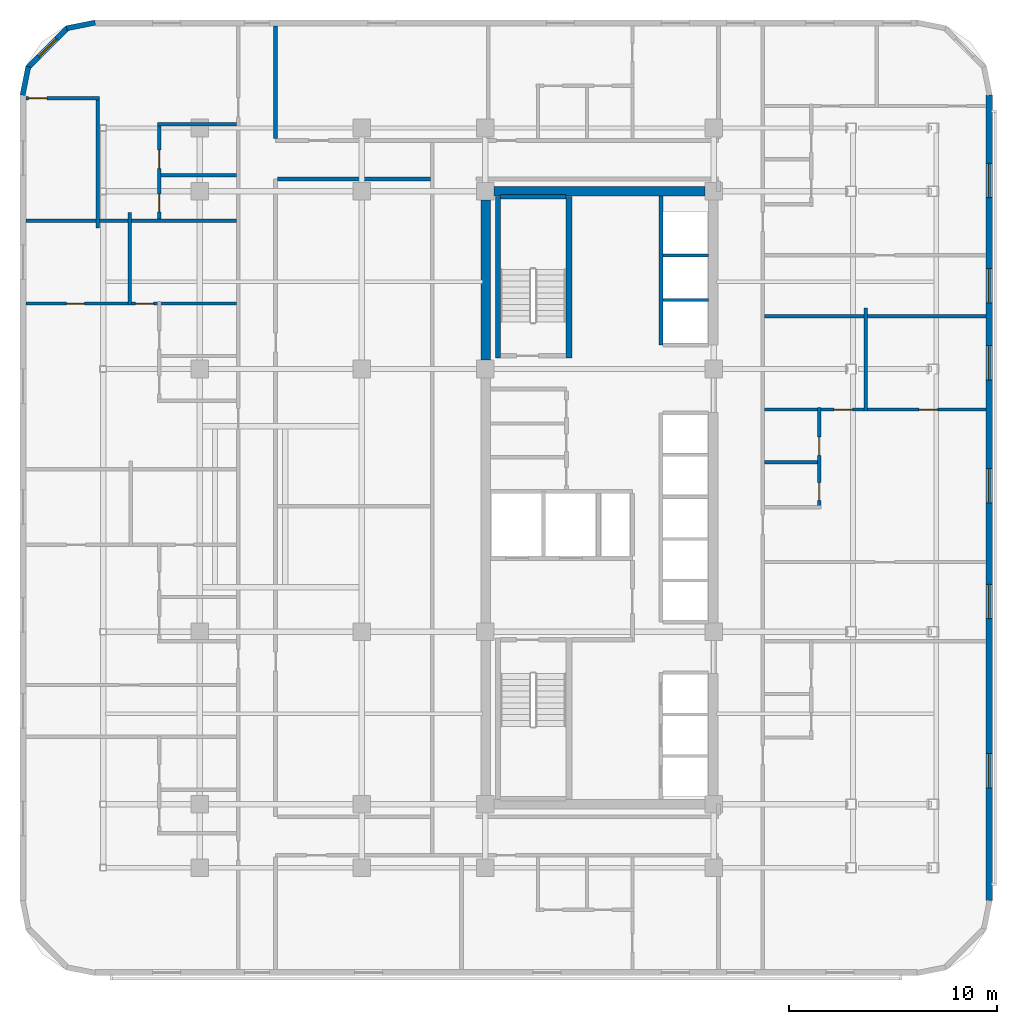
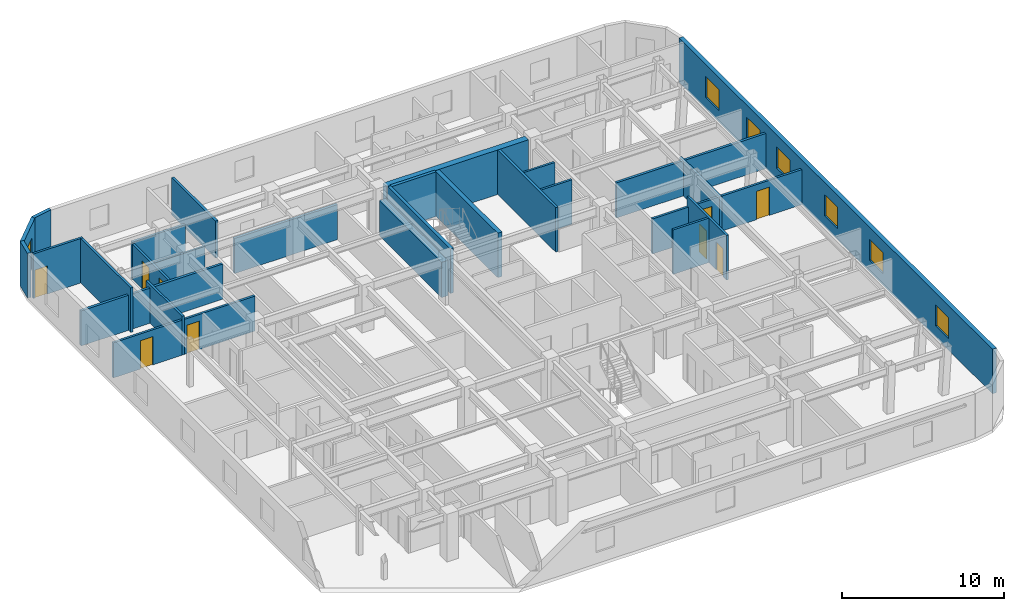
# One storey, part 9 of 14: 27 walls, 9 doors, 7 windows, 16 openings.
"""IFC4 building model written with IfcOpenShell, lengths in metres."""

from ifc_helpers import new_model, si_unit, direction, frame, frame_2d, origin, place, context, subcontext, project, spatial, rectangle, extrude, material, layer, layer_set, type_object, element, fill, save


model = new_model("IFC4")

# Units and contexts
model_context = context("Model", 3, precision=1e-05, world=origin(), true_north=direction((0.0, 1.0)))
body_context = subcontext(model_context, "Body", "Model", "MODEL_VIEW")
ifc_project = project(units=[si_unit("LENGTHUNIT", "METRE"), si_unit("AREAUNIT", "SQUARE_METRE"), si_unit("VOLUMEUNIT", "CUBIC_METRE"), si_unit("PLANEANGLEUNIT", "RADIAN"), si_unit("MASSUNIT", "GRAM", prefix="KILO")], contexts=[model_context])

# Site, building, storey
site_placement = place(None, origin())
site = spatial("IfcSite", under=ifc_project, at=site_placement, CompositionType="ELEMENT")
building_placement = place(site_placement, origin())
building = spatial("IfcBuilding", under=site, at=building_placement, Name="Ochreholt Gables", CompositionType="ELEMENT")
storey_placement = place(building_placement, frame((0.0, 0.0, 52.800048828125)))
storey = spatial("IfcBuildingStorey", under=building, at=storey_placement, Name="L13", CompositionType="ELEMENT", Elevation=52.800048828125)

# Walls
ifc_material_1 = material(Name="Concrete 60 MPa", Category="concrete")
ifc_layer_1 = layer(ifc_material_1, 0.449951171875, Name="Concrete 60 MPa")
ifc_layer_set_1 = layer_set([ifc_layer_1], Name="Concrete 60 MPa")
wall_type_1 = type_object("IfcWallType", Name="WALL-CSW-450", PredefinedType="SHEAR", material=ifc_layer_set_1)
wall_1_placement = place(storey_placement, frame((24.22509765625, 30.625, 0.0), z_axis=(0.0, 0.0, 1.0), x_axis=(0.0, 1.0, 0.0)))
element("IfcWall", 1, at=wall_1_placement, inside=storey, type_object=wall_type_1, Name="L13 Core West Shear Wall WN", PredefinedType="SHEAR", context=body_context, shape_type="SweptSolid", body=[
    extrude(rectangle(XDim=7.699951171875, YDim=0.449951171875, at=frame_2d((3.85009765625, 0.0))), origin(), (0.0, 0.0, 1.0), 2.6669921875),
])
wall_2_placement = place(storey_placement, frame((24.625, 38.75, 0.0), z_axis=(0.0, 0.0, 1.0), x_axis=(1.0, 0.0, 0.0)))
element("IfcWall", 2, at=wall_2_placement, inside=storey, type_object=wall_type_1, Name="L13 Core North Shear Wall", PredefinedType="SHEAR", context=body_context, shape_type="SweptSolid", body=[
    extrude(rectangle(XDim=10.14990234375, YDim=0.449951171875, at=frame_2d((5.074951171875, 0.0))), origin(), (0.0, 0.0, 1.0), 3.35986328125),
])

# Wall, openings, windows
ifc_material_2 = material(Name="Precast concrete 40 MPa", Category="concrete")
ifc_layer_2 = layer(ifc_material_2, 0.2900390625, Name="Precast concrete 40 MPa")
ifc_layer_set_2 = layer_set([ifc_layer_2], Name="Precast concrete 40 MPa")
wall_type_2 = type_object("IfcWallType", Name="WALL-EXT-290", PredefinedType="SOLIDWALL", material=ifc_layer_set_2)
wall_3_placement = place(storey_placement, frame((48.455078125, 4.6201171875, 0.0), z_axis=(0.0, 0.0, 1.0), x_axis=(0.0, 1.0, 0.0)))
wall_3 = element("IfcWall", 3, at=wall_3_placement, inside=storey, type_object=wall_type_2, Name="L13 East Exterior Wall", PredefinedType="SOLIDWALL", context=body_context, shape_type="SweptSolid", body=[
    extrude(rectangle(XDim=38.759765625, YDim=0.2900390625, at=frame_2d((19.3798828125, 0.0))), origin(), (0.0, 0.0, 1.0), 3.35986328125),
])
opening_1_placement = place(wall_3_placement, frame((5.4150390625, 0.0, 0.85009765625)))
opening_1 = element("IfcOpeningElement", 4, at=opening_1_placement, cuts=wall_3, Name="Opening WN-7", PredefinedType="OPENING", context=body_context, shape_type="SweptSolid", body=[
    extrude(rectangle(XDim=1.64990234375, YDim=1.60009765625, at=frame_2d((0.824951171875, 0.800048828125))), frame((0.0, 0.155029296875, 0.0), z_axis=(0.0, -1.0, 0.0), x_axis=(1.0, 0.0, 0.0)), (0.0, 0.0, 1.0), 0.31005859375),
])
opening_2_placement = place(wall_3_placement, frame((13.559326171875, 0.0, 0.85009765625)))
opening_2 = element("IfcOpeningElement", 5, at=opening_2_placement, cuts=wall_3, Name="Opening WN-7", PredefinedType="OPENING", context=body_context, shape_type="SweptSolid", body=[
    extrude(rectangle(XDim=1.64990234375, YDim=1.60009765625, at=frame_2d((0.824951171875, 0.800048828125))), frame((0.0, 0.155029296875, 0.0), z_axis=(0.0, -1.0, 0.0), x_axis=(1.0, 0.0, 0.0)), (0.0, 0.0, 1.0), 0.31005859375),
])
opening_3_placement = place(wall_3_placement, frame((19.13427734375, 0.0, 0.85009765625)))
opening_3 = element("IfcOpeningElement", 6, at=opening_3_placement, cuts=wall_3, Name="Opening WN-7", PredefinedType="OPENING", context=body_context, shape_type="SweptSolid", body=[
    extrude(rectangle(XDim=1.64990234375, YDim=1.60009765625, at=frame_2d((0.824951171875, 0.800048828125))), frame((0.0, 0.155029296875, 0.0), z_axis=(0.0, -1.0, 0.0), x_axis=(1.0, 0.0, 0.0)), (0.0, 0.0, 1.0), 0.31005859375),
])
opening_4_placement = place(wall_3_placement, frame((25.050048828125, 0.0, 0.85009765625)))
opening_4 = element("IfcOpeningElement", 7, at=opening_4_placement, cuts=wall_3, Name="Opening WN-7", PredefinedType="OPENING", context=body_context, shape_type="SweptSolid", body=[
    extrude(rectangle(XDim=1.64990234375, YDim=1.60009765625, at=frame_2d((0.824951171875, 0.800048828125))), frame((0.0, 0.155029296875, 0.0), z_axis=(0.0, -1.0, 0.0), x_axis=(1.0, 0.0, 0.0)), (0.0, 0.0, 1.0), 0.31005859375),
])
opening_5_placement = place(wall_3_placement, frame((28.764404296875, 0.0, 0.85009765625)))
opening_5 = element("IfcOpeningElement", 8, at=opening_5_placement, cuts=wall_3, Name="Opening WN-7", PredefinedType="OPENING", context=body_context, shape_type="SweptSolid", body=[
    extrude(rectangle(XDim=1.64990234375, YDim=1.60009765625, at=frame_2d((0.824951171875, 0.800048828125))), frame((0.0, 0.155029296875, 0.0), z_axis=(0.0, -1.0, 0.0), x_axis=(1.0, 0.0, 0.0)), (0.0, 0.0, 1.0), 0.31005859375),
])
opening_6_placement = place(wall_3_placement, frame((33.824462890625, 0.0, 0.85009765625)))
opening_6 = element("IfcOpeningElement", 9, at=opening_6_placement, cuts=wall_3, Name="Opening WN-7", PredefinedType="OPENING", context=body_context, shape_type="SweptSolid", body=[
    extrude(rectangle(XDim=1.64990234375, YDim=1.60009765625, at=frame_2d((0.824951171875, 0.800048828125))), frame((0.0, 0.155029296875, 0.0), z_axis=(0.0, -1.0, 0.0), x_axis=(1.0, 0.0, 0.0)), (0.0, 0.0, 1.0), 0.31005859375),
])
ifc_material_3 = material(Name="Triple-Glazed Thermally Broken Aluminium Window", Category="aluminium")
window_type_1 = type_object("IfcWindowType", Name="WIN-RES-1650", PartitioningType="SINGLE_PANEL", PredefinedType="WINDOW", material=ifc_material_3)
window_1_placement = place(opening_1_placement, origin())
window_1 = element("IfcWindow", 10, at=window_1_placement, inside=storey, type_object=window_type_1, Name="L13 Window W-EXT-E-L13-1", OverallHeight=1.60009765625, OverallWidth=1.64990234375, PartitioningType="SINGLE_PANEL", PredefinedType="WINDOW", context=body_context, shape_type="SweptSolid", body=[
    extrude(rectangle(XDim=1.64990234375, YDim=1.60009765625, at=frame_2d((0.824951171875, 0.800048828125))), frame((0.0, 0.030029296875, 0.0), z_axis=(0.0, -1.0, 0.0), x_axis=(1.0, 0.0, 0.0)), (0.0, 0.0, 1.0), 0.06005859375),
])
fill(opening_1, window_1)
window_2_placement = place(opening_2_placement, origin())
window_2 = element("IfcWindow", 11, at=window_2_placement, inside=storey, type_object=window_type_1, Name="L13 Window W-EXT-E-L13-2", OverallHeight=1.60009765625, OverallWidth=1.64990234375, PartitioningType="SINGLE_PANEL", PredefinedType="WINDOW", context=body_context, shape_type="SweptSolid", body=[
    extrude(rectangle(XDim=1.64990234375, YDim=1.60009765625, at=frame_2d((0.824951171875, 0.800048828125))), frame((0.0, 0.030029296875, 0.0), z_axis=(0.0, -1.0, 0.0), x_axis=(1.0, 0.0, 0.0)), (0.0, 0.0, 1.0), 0.06005859375),
])
fill(opening_2, window_2)
window_3_placement = place(opening_3_placement, origin())
window_3 = element("IfcWindow", 12, at=window_3_placement, inside=storey, type_object=window_type_1, Name="L13 Window W-EXT-E-L13-3", OverallHeight=1.60009765625, OverallWidth=1.64990234375, PartitioningType="SINGLE_PANEL", PredefinedType="WINDOW", context=body_context, shape_type="SweptSolid", body=[
    extrude(rectangle(XDim=1.64990234375, YDim=1.60009765625, at=frame_2d((0.824951171875, 0.800048828125))), frame((0.0, 0.030029296875, 0.0), z_axis=(0.0, -1.0, 0.0), x_axis=(1.0, 0.0, 0.0)), (0.0, 0.0, 1.0), 0.06005859375),
])
fill(opening_3, window_3)
window_4_placement = place(opening_4_placement, origin())
window_4 = element("IfcWindow", 13, at=window_4_placement, inside=storey, type_object=window_type_1, Name="L13 Window W-EXT-E-L13-4", OverallHeight=1.60009765625, OverallWidth=1.64990234375, PartitioningType="SINGLE_PANEL", PredefinedType="WINDOW", context=body_context, shape_type="SweptSolid", body=[
    extrude(rectangle(XDim=1.64990234375, YDim=1.60009765625, at=frame_2d((0.824951171875, 0.800048828125))), frame((0.0, 0.030029296875, 0.0), z_axis=(0.0, -1.0, 0.0), x_axis=(1.0, 0.0, 0.0)), (0.0, 0.0, 1.0), 0.06005859375),
])
fill(opening_4, window_4)
window_5_placement = place(opening_5_placement, origin())
window_5 = element("IfcWindow", 14, at=window_5_placement, inside=storey, type_object=window_type_1, Name="L13 Window W-EXT-E-L13-5", OverallHeight=1.60009765625, OverallWidth=1.64990234375, PartitioningType="SINGLE_PANEL", PredefinedType="WINDOW", context=body_context, shape_type="SweptSolid", body=[
    extrude(rectangle(XDim=1.64990234375, YDim=1.60009765625, at=frame_2d((0.824951171875, 0.800048828125))), frame((0.0, 0.030029296875, 0.0), z_axis=(0.0, -1.0, 0.0), x_axis=(1.0, 0.0, 0.0)), (0.0, 0.0, 1.0), 0.06005859375),
])
fill(opening_5, window_5)
window_6_placement = place(opening_6_placement, origin())
window_6 = element("IfcWindow", 15, at=window_6_placement, inside=storey, type_object=window_type_1, Name="L13 Window W-EXT-E-L13-6", OverallHeight=1.60009765625, OverallWidth=1.64990234375, PartitioningType="SINGLE_PANEL", PredefinedType="WINDOW", context=body_context, shape_type="SweptSolid", body=[
    extrude(rectangle(XDim=1.64990234375, YDim=1.60009765625, at=frame_2d((0.824951171875, 0.800048828125))), frame((0.0, 0.030029296875, 0.0), z_axis=(0.0, -1.0, 0.0), x_axis=(1.0, 0.0, 0.0)), (0.0, 0.0, 1.0), 0.06005859375),
])
fill(opening_6, window_6)

# Wall
ifc_layer_3 = layer(ifc_material_2, 0.25, Name="Precast concrete 40 MPa")
ifc_layer_set_3 = layer_set([ifc_layer_3], Name="Precast concrete 40 MPa")
wall_type_3 = type_object("IfcWallType", Name="WALL-EXT-CNR", PredefinedType="SOLIDWALL", material=ifc_layer_set_3)
wall_4_placement = place(storey_placement, frame((5.41650390625, 46.875732421875, 0.0), z_axis=(0.0, 0.0, 1.0), x_axis=(-0.980809899341, -0.19496651342, 0.0)))
element("IfcWall", 16, at=wall_4_placement, inside=storey, type_object=wall_type_3, Name="L13 Rounded Corner Wall NW-1", PredefinedType="SOLIDWALL", context=body_context, shape_type="SweptSolid", body=[
    extrude(rectangle(XDim=1.388671875, YDim=0.25, at=frame_2d((0.6943359375, 0.0))), origin(), (0.0, 0.0, 1.0), 3.35986328125),
])

# Wall, opening, window
wall_5_placement = place(storey_placement, frame((4.10498046875, 46.632080078125, 0.0), z_axis=(0.0, 0.0, 1.0), x_axis=(-0.707106781187, -0.707106781187, 0.0)))
wall_5 = element("IfcWall", 17, at=wall_5_placement, inside=storey, type_object=wall_type_3, Name="L13 Rounded Corner Wall NW-2", PredefinedType="SOLIDWALL", context=body_context, shape_type="SweptSolid", body=[
    extrude(rectangle(XDim=2.7392578125, YDim=0.25, at=frame_2d((1.36962890625, 0.0))), origin(), (0.0, 0.0, 1.0), 3.35986328125),
])
opening_7_placement = place(wall_5_placement, frame((0.769775390625, 0.0, 0.85009765625)))
opening_7 = element("IfcOpeningElement", 18, at=opening_7_placement, cuts=wall_5, Name="Opening WN-3", PredefinedType="OPENING", context=body_context, shape_type="SweptSolid", body=[
    extrude(rectangle(XDim=1.199951171875, YDim=1.5, at=frame_2d((0.60009765625, 0.75))), frame((0.0, 0.135009765625, 0.0), z_axis=(0.0, -1.0, 0.0), x_axis=(1.0, 0.0, 0.0)), (0.0, 0.0, 1.0), 0.27001953125),
])
window_type_2 = type_object("IfcWindowType", Name="WIN-RES-1200", PartitioningType="SINGLE_PANEL", PredefinedType="WINDOW", material=ifc_material_3)
window_7_placement = place(opening_7_placement, origin())
window_7 = element("IfcWindow", 19, at=window_7_placement, inside=storey, type_object=window_type_2, Name="L13 Corner Bedroom Window NW", OverallHeight=1.5, OverallWidth=1.199951171875, PartitioningType="SINGLE_PANEL", PredefinedType="WINDOW", context=body_context, shape_type="SweptSolid", body=[
    extrude(rectangle(XDim=1.199951171875, YDim=1.5, at=frame_2d((0.60009765625, 0.75))), frame((0.0, 0.030029296875, 0.0), z_axis=(0.0, -1.0, 0.0), x_axis=(1.0, 0.0, 0.0)), (0.0, 0.0, 1.0), 0.06005859375),
])
fill(opening_7, window_7)

# Walls
wall_6_placement = place(storey_placement, frame((2.195068359375, 44.74560546875, 0.0), z_axis=(0.0, 0.0, 1.0), x_axis=(-0.19496651342, -0.980809899341, 0.0)))
element("IfcWall", 20, at=wall_6_placement, inside=storey, type_object=wall_type_3, Name="L13 Rounded Corner Wall NW-3", PredefinedType="SOLIDWALL", context=body_context, shape_type="SweptSolid", body=[
    extrude(rectangle(XDim=1.388671875, YDim=0.25, at=frame_2d((0.6943359375, 0.0))), origin(), (0.0, 0.0, 1.0), 3.35986328125),
])
ifc_material_4 = material(Name="Fire-Rated Gypsum Acoustic Partition", Category="gypsum")
ifc_layer_4 = layer(ifc_material_4, 0.179931640625, Name="Fire-Rated Gypsum Acoustic Partition")
ifc_layer_set_4 = layer_set([ifc_layer_4], Name="Fire-Rated Gypsum Acoustic Partition")
wall_type_4 = type_object("IfcWallType", Name="WALL-INT-CR180", PredefinedType="STANDARD", material=ifc_layer_set_4)
wall_7_placement = place(storey_placement, frame((14.18994140625, 39.35009765625, 0.0), z_axis=(0.0, 0.0, 1.0), x_axis=(1.0, 0.0, 0.0)))
element("IfcWall", 21, at=wall_7_placement, inside=storey, type_object=wall_type_4, Name="L13 Interior Wall WI-C1N2W-L13", PredefinedType="STANDARD", context=body_context, shape_type="SweptSolid", body=[
    extrude(rectangle(XDim=7.3701171875, YDim=0.179931640625, at=frame_2d((3.68505859375, 0.0))), origin(), (0.0, 0.0, 1.0), 2.64892578125),
])
ifc_material_5 = material(Name="Double-Stud Acoustic Demising Wall", Category="gypsum")
ifc_layer_5 = layer(ifc_material_5, 0.179931640625, Name="Double-Stud Acoustic Demising Wall")
ifc_layer_set_5 = layer_set([ifc_layer_5], Name="Double-Stud Acoustic Demising Wall")
wall_type_5 = type_object("IfcWallType", Name="WALL-INT-DM180", PredefinedType="PARTITIONING", material=ifc_layer_set_5)
wall_8_placement = place(storey_placement, frame((14.10009765625, 41.2900390625, 0.0), z_axis=(0.0, 0.0, 1.0), x_axis=(0.0, 1.0, 0.0)))
element("IfcWall", 22, at=wall_8_placement, inside=storey, type_object=wall_type_5, Name="L13 Interior Wall WI-C1WNI-L13", PredefinedType="PARTITIONING", context=body_context, shape_type="SweptSolid", body=[
    extrude(rectangle(XDim=5.419921875, YDim=0.179931640625, at=frame_2d((2.7099609375, 0.0))), origin(), (0.0, 0.0, 1.0), 2.808837890625),
])
wall_9_placement = place(storey_placement, frame((37.639892578125, 32.739990234375, 0.0), z_axis=(0.0, 0.0, 1.0), x_axis=(1.0, 0.0, 0.0)))
element("IfcWall", 23, at=wall_9_placement, inside=storey, type_object=wall_type_5, Name="L13 Interior Wall WI-UDE3-L13", PredefinedType="PARTITIONING", context=body_context, shape_type="SweptSolid", body=[
    extrude(rectangle(XDim=10.670166015625, YDim=0.179931640625, at=frame_2d((5.3349609375, 0.0))), origin(), (0.0, 0.0, 1.0), 2.64892578125),
])
wall_10_placement = place(storey_placement, frame((2.090087890625, 37.340087890625, 0.0), z_axis=(0.0, 0.0, 1.0), x_axis=(1.0, 0.0, 0.0)))
element("IfcWall", 24, at=wall_10_placement, inside=storey, type_object=wall_type_5, Name="L13 Interior Wall WI-UDW4-L13", PredefinedType="PARTITIONING", context=body_context, shape_type="SweptSolid", body=[
    extrude(rectangle(XDim=10.119873046875, YDim=0.179931640625, at=frame_2d((5.06005859375, 0.0))), origin(), (0.0, 0.0, 1.0), 2.64892578125),
])

# Wall, openings, doors
ifc_material_6 = material(Name="Moisture-Resistant Plumbing Chase Wall", Category="gypsum")
ifc_layer_6 = layer(ifc_material_6, 0.159912109375, Name="Moisture-Resistant Plumbing Chase Wall")
ifc_layer_set_6 = layer_set([ifc_layer_6], Name="Moisture-Resistant Plumbing Chase Wall")
wall_type_6 = type_object("IfcWallType", Name="WALL-INT-PL160", PredefinedType="PLUMBINGWALL", material=ifc_layer_set_6)
wall_11_placement = place(storey_placement, frame((40.27197265625, 23.452880859375, 0.0), z_axis=(0.0, 0.0, 1.0), x_axis=(0.0, 1.0, 0.0)))
wall_11 = element("IfcWall", 25, at=wall_11_placement, inside=storey, type_object=wall_type_6, Name="L13 Interior Wall WU-L13E2-WX", PredefinedType="PLUMBINGWALL", context=body_context, shape_type="SweptSolid", body=[
    extrude(rectangle(XDim=4.88720703125, YDim=0.159912109375, at=frame_2d((2.443603515625, 0.0))), origin(), (0.0, 0.0, 1.0), 3.35986328125),
])
opening_8_placement = place(wall_11_placement, frame((0.419921875, 0.0, 0.0)))
opening_8 = element("IfcOpeningElement", 26, at=opening_8_placement, cuts=wall_11, Name="Opening D-BT1", PredefinedType="OPENING", context=body_context, shape_type="SweptSolid", body=[
    extrude(rectangle(XDim=0.860107421875, YDim=2.1201171875, at=frame_2d((0.43017578125, 1.06005859375))), frame((0.0, 0.08984375, 0.0), z_axis=(0.0, -1.0, 0.0), x_axis=(1.0, 0.0, 0.0)), (0.0, 0.0, 1.0), 0.179931640625),
])
opening_9_placement = place(wall_11_placement, frame((2.585205078125, 0.0, 0.0)))
opening_9 = element("IfcOpeningElement", 27, at=opening_9_placement, cuts=wall_11, Name="Opening D-GN2", PredefinedType="OPENING", context=body_context, shape_type="SweptSolid", body=[
    extrude(rectangle(XDim=0.8798828125, YDim=2.1201171875, at=frame_2d((0.43994140625, 1.06005859375))), frame((0.0, 0.08984375, 0.0), z_axis=(0.0, -1.0, 0.0), x_axis=(1.0, 0.0, 0.0)), (0.0, 0.0, 1.0), 0.179931640625),
])
ifc_material_7 = material(Name="Engineered Oak Timber", Category="wood")
door_type_1 = type_object("IfcDoorType", Name="DR-INT-BTH860", OperationType="NOTDEFINED", PredefinedType="DOOR", material=ifc_material_7)
door_1_placement = place(opening_8_placement, origin())
door_1 = element("IfcDoor", 28, at=door_1_placement, inside=storey, type_object=door_type_1, Name="L13 Door D-U-L13E2-BTH", OperationType="SINGLE_SWING_RIGHT", OverallHeight=2.1201171875, OverallWidth=0.860107421875, PredefinedType="DOOR", context=body_context, shape_type="SweptSolid", body=[
    extrude(rectangle(XDim=0.860107421875, YDim=2.1201171875, at=frame_2d((0.43017578125, 1.06005859375))), frame((0.0, 0.02490234375, 0.0), z_axis=(0.0, -1.0, 0.0), x_axis=(1.0, 0.0, 0.0)), (0.0, 0.0, 1.0), 0.050048828125),
])
fill(opening_8, door_1)
door_type_2 = type_object("IfcDoorType", Name="DR-INT-GEN880", OperationType="NOTDEFINED", PredefinedType="DOOR", material=ifc_material_7)
door_2_placement = place(opening_9_placement, origin())
door_2 = element("IfcDoor", 29, at=door_2_placement, inside=storey, type_object=door_type_2, Name="L13 Door D-U-L13E2-KIT", OperationType="SINGLE_SWING_LEFT", OverallHeight=2.1201171875, OverallWidth=0.8798828125, PredefinedType="DOOR", context=body_context, shape_type="SweptSolid", body=[
    extrude(rectangle(XDim=0.8798828125, YDim=2.1201171875, at=frame_2d((0.43994140625, 1.06005859375))), frame((0.0, 0.02490234375, 0.0), z_axis=(0.0, -1.0, 0.0), x_axis=(1.0, 0.0, 0.0)), (0.0, 0.0, 1.0), 0.050048828125),
])
fill(opening_9, door_2)

# Walls
wall_12_placement = place(storey_placement, frame((37.639892578125, 25.708251953125, 0.0), z_axis=(0.0, 0.0, 1.0), x_axis=(1.0, 0.0, 0.0)))
element("IfcWall", 30, at=wall_12_placement, inside=storey, type_object=wall_type_6, Name="L13 Interior Wall WU-L13E2-WK", PredefinedType="PLUMBINGWALL", context=body_context, shape_type="SweptSolid", body=[
    extrude(rectangle(XDim=2.552001953125, YDim=0.159912109375, at=frame_2d((1.27587890625, 0.0))), origin(), (0.0, 0.0, 1.0), 3.35986328125),
])
wall_13_placement = place(storey_placement, frame((8.429931640625, 41.97998046875, 0.0), z_axis=(0.0, 0.0, 1.0), x_axis=(1.0, 0.0, 0.0)))
element("IfcWall", 31, at=wall_13_placement, inside=storey, type_object=wall_type_6, Name="L13 Interior Wall WU-L13W4-WYN", PredefinedType="PLUMBINGWALL", context=body_context, shape_type="SweptSolid", body=[
    extrude(rectangle(XDim=3.780029296875, YDim=0.159912109375, at=frame_2d((1.89013671875, 0.0))), origin(), (0.0, 0.0, 1.0), 2.808837890625),
])

# Wall, openings, doors
wall_14_placement = place(storey_placement, frame((8.510009765625, 37.429931640625, 0.0), z_axis=(0.0, 0.0, 1.0), x_axis=(0.0, 1.0, 0.0)))
wall_14 = element("IfcWall", 32, at=wall_14_placement, inside=storey, type_object=wall_type_6, Name="L13 Interior Wall WU-L13W4-WX", PredefinedType="PLUMBINGWALL", context=body_context, shape_type="SweptSolid", body=[
    extrude(rectangle(XDim=4.64013671875, YDim=0.159912109375, at=frame_2d((2.320068359375, 0.0))), origin(), (0.0, 0.0, 1.0), 2.64892578125),
])
opening_10_placement = place(wall_14_placement, frame((0.330078125, 0.0, 0.0)))
opening_10 = element("IfcOpeningElement", 33, at=opening_10_placement, cuts=wall_14, Name="Opening D-BT1", PredefinedType="OPENING", context=body_context, shape_type="SweptSolid", body=[
    extrude(rectangle(XDim=0.860107421875, YDim=2.1201171875, at=frame_2d((0.43017578125, 1.06005859375))), frame((0.0, 0.08984375, 0.0), z_axis=(0.0, -1.0, 0.0), x_axis=(1.0, 0.0, 0.0)), (0.0, 0.0, 1.0), 0.179931640625),
])
opening_11_placement = place(wall_14_placement, frame((2.423095703125, 0.0, 0.0)))
opening_11 = element("IfcOpeningElement", 34, at=opening_11_placement, cuts=wall_14, Name="Opening D-GN2", PredefinedType="OPENING", context=body_context, shape_type="SweptSolid", body=[
    extrude(rectangle(XDim=0.8798828125, YDim=2.1201171875, at=frame_2d((0.43994140625, 1.06005859375))), frame((0.0, 0.08984375, 0.0), z_axis=(0.0, -1.0, 0.0), x_axis=(1.0, 0.0, 0.0)), (0.0, 0.0, 1.0), 0.179931640625),
])
door_3_placement = place(opening_10_placement, origin())
door_3 = element("IfcDoor", 35, at=door_3_placement, inside=storey, type_object=door_type_1, Name="L13 Door D-U-L13W4-BTH", OperationType="SINGLE_SWING_LEFT", OverallHeight=2.1201171875, OverallWidth=0.860107421875, PredefinedType="DOOR", context=body_context, shape_type="SweptSolid", body=[
    extrude(rectangle(XDim=0.860107421875, YDim=2.1201171875, at=frame_2d((0.43017578125, 1.06005859375))), frame((0.0, 0.02490234375, 0.0), z_axis=(0.0, -1.0, 0.0), x_axis=(1.0, 0.0, 0.0)), (0.0, 0.0, 1.0), 0.050048828125),
])
fill(opening_10, door_3)
door_4_placement = place(opening_11_placement, origin())
door_4 = element("IfcDoor", 36, at=door_4_placement, inside=storey, type_object=door_type_2, Name="L13 Door D-U-L13W4-KIT", OperationType="SINGLE_SWING_RIGHT", OverallHeight=2.1201171875, OverallWidth=0.8798828125, PredefinedType="DOOR", context=body_context, shape_type="SweptSolid", body=[
    extrude(rectangle(XDim=0.8798828125, YDim=2.1201171875, at=frame_2d((0.43994140625, 1.06005859375))), frame((0.0, 0.02490234375, 0.0), z_axis=(0.0, -1.0, 0.0), x_axis=(1.0, 0.0, 0.0)), (0.0, 0.0, 1.0), 0.050048828125),
])
fill(opening_11, door_4)

# Wall
wall_15_placement = place(storey_placement, frame((8.590087890625, 39.52294921875, 0.0), z_axis=(0.0, 0.0, 1.0), x_axis=(1.0, 0.0, 0.0)))
element("IfcWall", 37, at=wall_15_placement, inside=storey, type_object=wall_type_6, Name="L13 Interior Wall WU-L13W4-WM", PredefinedType="PLUMBINGWALL", context=body_context, shape_type="SweptSolid", body=[
    extrude(rectangle(XDim=3.619873046875, YDim=0.159912109375, at=frame_2d((1.81005859375, 0.0))), origin(), (0.0, 0.0, 1.0), 2.64892578125),
])

# Wall, openings, doors
ifc_material_8 = material(Name="Gypsum Acoustic Stud Partition", Category="gypsum")
ifc_layer_7 = layer(ifc_material_8, 0.159912109375, Name="Gypsum Acoustic Stud Partition")
ifc_layer_set_7 = layer_set([ifc_layer_7], Name="Gypsum Acoustic Stud Partition")
wall_type_7 = type_object("IfcWallType", Name="WALL-INT-PT160", PredefinedType="PARTITIONING", material=ifc_layer_set_7)
wall_16_placement = place(storey_placement, frame((37.639892578125, 28.25, 0.0), z_axis=(0.0, 0.0, 1.0), x_axis=(1.0, 0.0, 0.0)))
wall_16 = element("IfcWall", 38, at=wall_16_placement, inside=storey, type_object=wall_type_7, Name="L13 Interior Wall WU-L13E2-MN", PredefinedType="PARTITIONING", context=body_context, shape_type="SweptSolid", body=[
    extrude(rectangle(XDim=10.670166015625, YDim=0.159912109375, at=frame_2d((5.3349609375, 0.0))), origin(), (0.0, 0.0, 1.0), 2.64892578125),
])
opening_12_placement = place(wall_16_placement, frame((3.353271484375, 0.0, 0.0)))
opening_12 = element("IfcOpeningElement", 39, at=opening_12_placement, cuts=wall_16, Name="Opening D-GN2", PredefinedType="OPENING", context=body_context, shape_type="SweptSolid", body=[
    extrude(rectangle(XDim=0.8798828125, YDim=2.1201171875, at=frame_2d((0.43994140625, 1.06005859375))), frame((0.0, 0.08984375, 0.0), z_axis=(0.0, -1.0, 0.0), x_axis=(1.0, 0.0, 0.0)), (0.0, 0.0, 1.0), 0.179931640625),
])
opening_13_placement = place(wall_16_placement, frame((7.43212890625, 0.0, 0.0)))
opening_13 = element("IfcOpeningElement", 40, at=opening_13_placement, cuts=wall_16, Name="Opening D-BD1", PredefinedType="OPENING", context=body_context, shape_type="SweptSolid", body=[
    extrude(rectangle(XDim=0.89990234375, YDim=2.139892578125, at=frame_2d((0.449951171875, 1.06982421875))), frame((0.0, 0.08984375, 0.0), z_axis=(0.0, -1.0, 0.0), x_axis=(1.0, 0.0, 0.0)), (0.0, 0.0, 1.0), 0.179931640625),
])
door_type_3 = type_object("IfcDoorType", Name="DR-INT-BED900", OperationType="NOTDEFINED", PredefinedType="DOOR", material=ifc_material_7)
door_5_placement = place(opening_13_placement, origin())
door_5 = element("IfcDoor", 41, at=door_5_placement, inside=storey, type_object=door_type_3, Name="L13 Door D-U-L13E2-BD1", OperationType="SINGLE_SWING_RIGHT", OverallHeight=2.139892578125, OverallWidth=0.89990234375, PredefinedType="DOOR", context=body_context, shape_type="SweptSolid", body=[
    extrude(rectangle(XDim=0.89990234375, YDim=2.139892578125, at=frame_2d((0.449951171875, 1.06982421875))), frame((0.0, 0.02490234375, 0.0), z_axis=(0.0, -1.0, 0.0), x_axis=(1.0, 0.0, 0.0)), (0.0, 0.0, 1.0), 0.050048828125),
])
fill(opening_13, door_5)
door_6_placement = place(opening_12_placement, origin())
door_6 = element("IfcDoor", 42, at=door_6_placement, inside=storey, type_object=door_type_2, Name="L13 Door D-U-L13E2-STD", OperationType="SINGLE_SWING_LEFT", OverallHeight=2.1201171875, OverallWidth=0.8798828125, PredefinedType="DOOR", context=body_context, shape_type="SweptSolid", body=[
    extrude(rectangle(XDim=0.8798828125, YDim=2.1201171875, at=frame_2d((0.43994140625, 1.06005859375))), frame((0.0, 0.02490234375, 0.0), z_axis=(0.0, -1.0, 0.0), x_axis=(1.0, 0.0, 0.0)), (0.0, 0.0, 1.0), 0.050048828125),
])
fill(opening_12, door_6)

# Wall
wall_17_placement = place(storey_placement, frame((42.50439453125, 28.169921875, 0.0), z_axis=(0.0, 0.0, 1.0), x_axis=(0.0, 1.0, 0.0)))
element("IfcWall", 43, at=wall_17_placement, inside=storey, type_object=wall_type_7, Name="L13 Interior Wall WU-L13E2-BSD", PredefinedType="PARTITIONING", context=body_context, shape_type="SweptSolid", body=[
    extrude(rectangle(XDim=4.9599609375, YDim=0.159912109375, at=frame_2d((2.47998046875, 0.0))), origin(), (0.0, 0.0, 1.0), 2.64892578125),
])

# Wall, openings, doors
wall_18_placement = place(storey_placement, frame((2.090087890625, 33.35009765625, 0.0), z_axis=(0.0, 0.0, 1.0), x_axis=(1.0, 0.0, 0.0)))
wall_18 = element("IfcWall", 44, at=wall_18_placement, inside=storey, type_object=wall_type_7, Name="L13 Interior Wall WU-L13W3-MN", PredefinedType="PARTITIONING", context=body_context, shape_type="SweptSolid", body=[
    extrude(rectangle(XDim=10.119873046875, YDim=0.159912109375, at=frame_2d((5.06005859375, 0.0))), origin(), (0.0, 0.0, 1.0), 2.64892578125),
])
opening_14_placement = place(wall_18_placement, frame((1.93994140625, 0.0, 0.0)))
opening_14 = element("IfcOpeningElement", 45, at=opening_14_placement, cuts=wall_18, Name="Opening D-BD2", PredefinedType="OPENING", context=body_context, shape_type="SweptSolid", body=[
    extrude(rectangle(XDim=0.8798828125, YDim=2.139892578125, at=frame_2d((0.43994140625, 1.06982421875))), frame((0.0, 0.08984375, 0.0), z_axis=(0.0, -1.0, 0.0), x_axis=(1.0, 0.0, 0.0)), (0.0, 0.0, 1.0), 0.179931640625),
])
opening_15_placement = place(wall_18_placement, frame((5.260009765625, 0.0, 0.0)))
opening_15 = element("IfcOpeningElement", 46, at=opening_15_placement, cuts=wall_18, Name="Opening D-BD2", PredefinedType="OPENING", context=body_context, shape_type="SweptSolid", body=[
    extrude(rectangle(XDim=0.8798828125, YDim=2.139892578125, at=frame_2d((0.43994140625, 1.06982421875))), frame((0.0, 0.08984375, 0.0), z_axis=(0.0, -1.0, 0.0), x_axis=(1.0, 0.0, 0.0)), (0.0, 0.0, 1.0), 0.179931640625),
])
door_type_4 = type_object("IfcDoorType", Name="DR-INT-BED880", OperationType="NOTDEFINED", PredefinedType="DOOR", material=ifc_material_7)
door_7_placement = place(opening_14_placement, origin())
door_7 = element("IfcDoor", 47, at=door_7_placement, inside=storey, type_object=door_type_4, Name="L13 Door D-U-L13W3-BD1", OperationType="SINGLE_SWING_LEFT", OverallHeight=2.139892578125, OverallWidth=0.8798828125, PredefinedType="DOOR", context=body_context, shape_type="SweptSolid", body=[
    extrude(rectangle(XDim=0.8798828125, YDim=2.139892578125, at=frame_2d((0.43994140625, 1.06982421875))), frame((0.0, 0.02490234375, 0.0), z_axis=(0.0, -1.0, 0.0), x_axis=(1.0, 0.0, 0.0)), (0.0, 0.0, 1.0), 0.050048828125),
])
fill(opening_14, door_7)
door_8_placement = place(opening_15_placement, origin())
door_8 = element("IfcDoor", 48, at=door_8_placement, inside=storey, type_object=door_type_4, Name="L13 Door D-U-L13W3-BD2", OperationType="SINGLE_SWING_RIGHT", OverallHeight=2.139892578125, OverallWidth=0.8798828125, PredefinedType="DOOR", context=body_context, shape_type="SweptSolid", body=[
    extrude(rectangle(XDim=0.8798828125, YDim=2.139892578125, at=frame_2d((0.43994140625, 1.06982421875))), frame((0.0, 0.02490234375, 0.0), z_axis=(0.0, -1.0, 0.0), x_axis=(1.0, 0.0, 0.0)), (0.0, 0.0, 1.0), 0.050048828125),
])
fill(opening_15, door_8)

# Walls
wall_19_placement = place(storey_placement, frame((7.080078125, 33.27001953125, 0.0), z_axis=(0.0, 0.0, 1.0), x_axis=(0.0, 1.0, 0.0)))
element("IfcWall", 49, at=wall_19_placement, inside=storey, type_object=wall_type_7, Name="L13 Interior Wall WU-L13W3-BSD", PredefinedType="PARTITIONING", context=body_context, shape_type="SweptSolid", body=[
    extrude(rectangle(XDim=4.4599609375, YDim=0.159912109375, at=frame_2d((2.22998046875, 0.0))), origin(), (0.0, 0.0, 1.0), 2.931884765625),
])
wall_20_placement = place(storey_placement, frame((5.550048828125, 36.97998046875, 0.0), z_axis=(0.0, 0.0, 1.0), x_axis=(0.0, 1.0, 0.0)))
element("IfcWall", 50, at=wall_20_placement, inside=storey, type_object=wall_type_7, Name="L13 Interior Wall WU-L13W4-STW", PredefinedType="PARTITIONING", context=body_context, shape_type="SweptSolid", body=[
    extrude(rectangle(XDim=6.25, YDim=0.159912109375, at=frame_2d((3.125, 0.0))), origin(), (0.0, 0.0, 1.0), 3.35986328125),
])

# Wall, opening, door
wall_21_placement = place(storey_placement, frame((2.090087890625, 43.22998046875, 0.0), z_axis=(0.0, 0.0, 1.0), x_axis=(1.0, 0.0, 0.0)))
wall_21 = element("IfcWall", 51, at=wall_21_placement, inside=storey, type_object=wall_type_7, Name="L13 Interior Wall WU-L13W4-STN", PredefinedType="PARTITIONING", context=body_context, shape_type="SweptSolid", body=[
    extrude(rectangle(XDim=3.539794921875, YDim=0.159912109375, at=frame_2d((1.77001953125, 0.0))), origin(), (0.0, 0.0, 1.0), 3.35986328125),
])
opening_16_placement = place(wall_21_placement, frame((0.1201171875, 0.0, 0.0)))
opening_16 = element("IfcOpeningElement", 52, at=opening_16_placement, cuts=wall_21, Name="Opening D-GN2", PredefinedType="OPENING", context=body_context, shape_type="SweptSolid", body=[
    extrude(rectangle(XDim=0.8798828125, YDim=2.1201171875, at=frame_2d((0.43994140625, 1.06005859375))), frame((0.0, 0.08984375, 0.0), z_axis=(0.0, -1.0, 0.0), x_axis=(1.0, 0.0, 0.0)), (0.0, 0.0, 1.0), 0.179931640625),
])
door_9_placement = place(opening_16_placement, frame((0.8798828125, 0.0, 0.0), z_axis=(0.0, 0.0, 1.0), x_axis=(-1.0, 0.0, 0.0)))
door_9 = element("IfcDoor", 53, at=door_9_placement, inside=storey, type_object=door_type_2, Name="L13 Door D-U-L13W4-STD", OperationType="SINGLE_SWING_LEFT", OverallHeight=2.1201171875, OverallWidth=0.8798828125, PredefinedType="DOOR", context=body_context, shape_type="SweptSolid", body=[
    extrude(rectangle(XDim=0.8798828125, YDim=2.1201171875, at=frame_2d((0.43994140625, 1.06005859375))), frame((0.0, 0.02490234375, 0.0), z_axis=(0.0, -1.0, 0.0), x_axis=(1.0, 0.0, 0.0)), (0.0, 0.0, 1.0), 0.050048828125),
])
fill(opening_16, door_9)

# Walls
ifc_material_9 = material(Name="Gypsum Shaftliner and Steel Stud", Category="steel")
ifc_layer_8 = layer(ifc_material_9, 0.14990234375, Name="Gypsum Shaftliner and Steel Stud")
ifc_layer_set_8 = layer_set([ifc_layer_8], Name="Gypsum Shaftliner and Steel Stud")
wall_type_8 = type_object("IfcWallType", Name="WALL-INT-SH150", PredefinedType="STANDARD", material=ifc_layer_set_8)
for number, where, z_axis, x_axis, name in (
    (54, (32.739990234375, 33.52001953125, 0.0), (0.0, 0.0, 1.0), (1.0, 0.0, 0.0), "L13 Interior Wall WI-LFM-D1-L13"),
    (55, (32.739990234375, 35.669921875, 0.0), (0.0, 0.0, 1.0), (1.0, 0.0, 0.0), "L13 Interior Wall WI-LFM-D2-L13"),
):
    element("IfcWall", number, at=place(storey_placement, frame(where, z_axis=z_axis, x_axis=x_axis)), inside=storey, type_object=wall_type_8, Name=name, PredefinedType="STANDARD", context=body_context, shape_type="SweptSolid", body=[
        extrude(rectangle(XDim=2.2099609375, YDim=0.14990234375, at=frame_2d((1.10498046875, 0.0))), origin(), (0.0, 0.0, 1.0), 3.35986328125),
    ])
ifc_layer_9 = layer(ifc_material_9, 0.179931640625, Name="Gypsum Shaftliner and Steel Stud")
ifc_layer_set_9 = layer_set([ifc_layer_9], Name="Gypsum Shaftliner and Steel Stud")
wall_type_9 = type_object("IfcWallType", Name="WALL-INT-SH180", PredefinedType="STANDARD", material=ifc_layer_set_9)
wall_22_placement = place(storey_placement, frame((32.64990234375, 31.35009765625, 0.0), z_axis=(0.0, 0.0, 1.0), x_axis=(0.0, 1.0, 0.0)))
element("IfcWall", 56, at=wall_22_placement, inside=storey, type_object=wall_type_9, Name="L13 Interior Wall WI-LFM-FR-L13", PredefinedType="STANDARD", context=body_context, shape_type="SweptSolid", body=[
    extrude(rectangle(XDim=7.1748046875, YDim=0.179931640625, at=frame_2d((3.58740234375, 0.0))), origin(), (0.0, 0.0, 1.0), 3.35986328125),
])
ifc_layer_10 = layer(ifc_material_1, 0.300048828125, Name="Concrete 60 MPa")
ifc_layer_set_10 = layer_set([ifc_layer_10], Name="Concrete 60 MPa")
wall_type_10 = type_object("IfcWallType", Name="WALL-SPN-300", PredefinedType="SHEAR", material=ifc_layer_set_10)
wall_23_placement = place(storey_placement, frame((28.22998046875, 30.739990234375, 0.0), z_axis=(0.0, 0.0, 1.0), x_axis=(0.0, 1.0, 0.0)))
element("IfcWall", 57, at=wall_23_placement, inside=storey, type_object=wall_type_10, Name="L13 Core North Spine Shear Wall", PredefinedType="SHEAR", context=body_context, shape_type="SweptSolid", body=[
    extrude(rectangle(XDim=7.760009765625, YDim=0.300048828125, at=frame_2d((3.8798828125, 0.0))), origin(), (0.0, 0.0, 1.0), 3.35986328125),
])
ifc_material_10 = material(Name="Concrete 50 MPa", Category="concrete")
ifc_layer_11 = layer(ifc_material_10, 0.219970703125, Name="Concrete 50 MPa")
ifc_layer_set_11 = layer_set([ifc_layer_11], Name="Concrete 50 MPa")
wall_type_11 = type_object("IfcWallType", Name="WALL-STW-220", PredefinedType="SHEAR", material=ifc_layer_set_11)
wall_24_placement = place(storey_placement, frame((24.81005859375, 30.739990234375, 0.0), z_axis=(0.0, 0.0, 1.0), x_axis=(0.0, 1.0, 0.0)))
element("IfcWall", 58, at=wall_24_placement, inside=storey, type_object=wall_type_11, Name="L13 Exit Stair 2 West Wall", PredefinedType="SHEAR", context=body_context, shape_type="SweptSolid", body=[
    extrude(rectangle(XDim=7.760009765625, YDim=0.219970703125, at=frame_2d((3.8798828125, 0.0))), origin(), (0.0, 0.0, 1.0), 3.35986328125),
])
wall_25_placement = place(storey_placement, frame((24.919921875, 38.489990234375, 0.0), z_axis=(0.0, 0.0, 1.0), x_axis=(1.0, 0.0, 0.0)))
element("IfcWall", 59, at=wall_25_placement, inside=storey, type_object=wall_type_11, Name="L13 Exit Stair 2 North Wall", PredefinedType="SHEAR", context=body_context, shape_type="SweptSolid", body=[
    extrude(rectangle(XDim=3.16015625, YDim=0.219970703125, at=frame_2d((1.580078125, 0.0))), origin(), (0.0, 0.0, 1.0), 3.35986328125),
])

save(model, "model.ifc")
